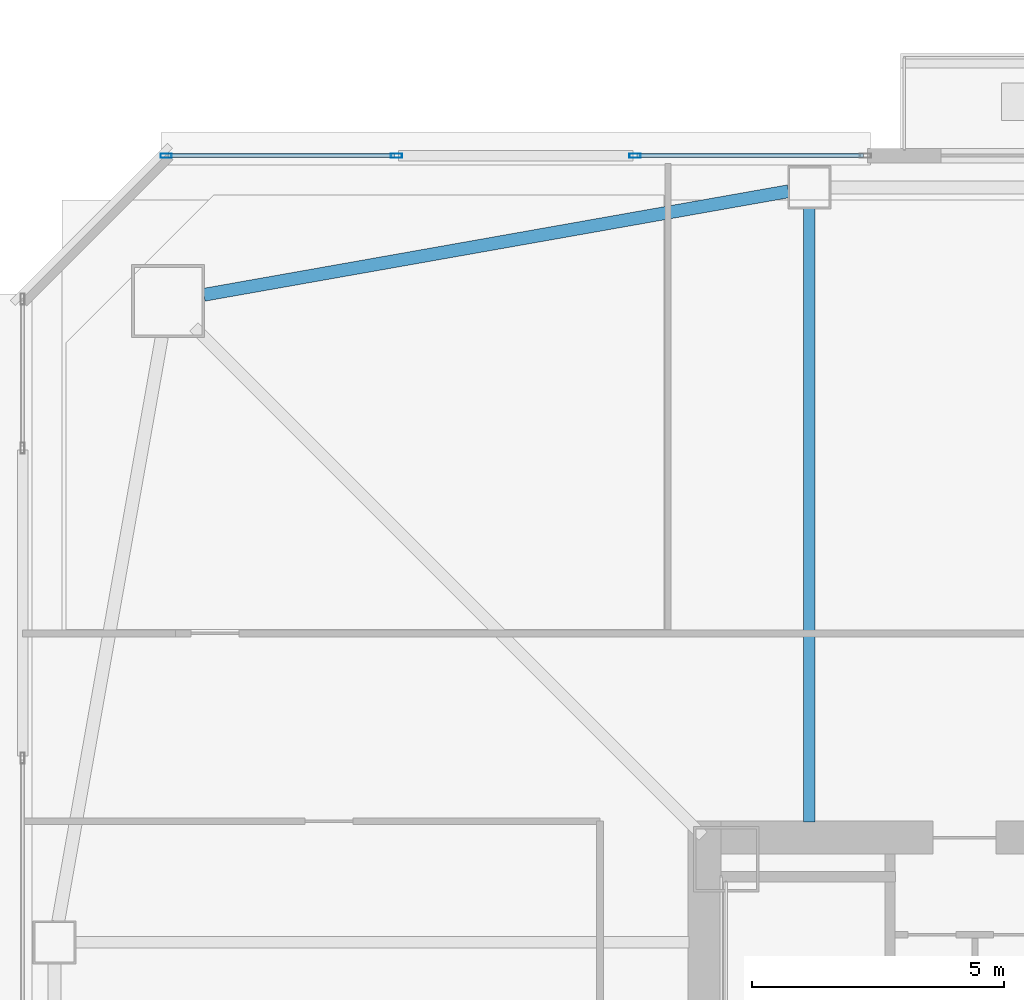
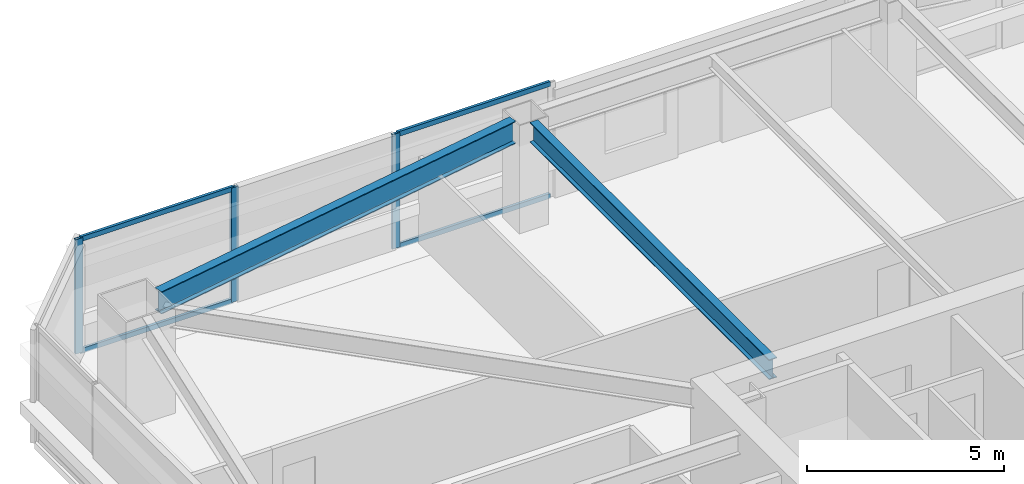
# One storey, part 13 of 47: 7 members, 2 beams, 2 elements without a shape of their own.
"""IFC4 building model written with IfcOpenShell, lengths in metres."""

from ifc_helpers import new_model, si_unit, direction, frame, origin, origin_2d, place, context, subcontext, project, spatial, hollow_rectangle, i_section, extrude, material, material_profile, profile_set, type_object, element, aggregate, save


model = new_model("IFC4")

# Units and contexts
model_context = context("Model", 3, precision=1e-05, world=origin(), true_north=direction((0.0, 1.0)))
body_context = subcontext(model_context, "Body", "Model", "MODEL_VIEW")
ifc_project = project(units=[si_unit("LENGTHUNIT", "METRE"), si_unit("AREAUNIT", "SQUARE_METRE"), si_unit("VOLUMEUNIT", "CUBIC_METRE"), si_unit("PLANEANGLEUNIT", "RADIAN"), si_unit("MASSUNIT", "GRAM", prefix="KILO")], contexts=[model_context])

# Site, building, storey
site_placement = place(None, origin())
site = spatial("IfcSite", under=ifc_project, at=site_placement, CompositionType="ELEMENT")
building_placement = place(site_placement, origin())
building = spatial("IfcBuilding", under=site, at=building_placement, Name="Tashvorn Skyway Center", CompositionType="ELEMENT")
storey_placement = place(building_placement, frame((0.0, 0.0, 81.39990234375)))
storey = spatial("IfcBuildingStorey", under=building, at=storey_placement, Name="L21", CompositionType="ELEMENT", Elevation=81.39990234375)

# Beams
ifc_material_1 = material(Name="Steel ASTM A992 Grade 50", Category="steel")
ifc_material_profile_1 = material_profile(ifc_material_1, i_section(OverallWidth=0.22998046875, OverallDepth=0.616943359375, WebThickness=0.01318359375, FlangeThickness=0.022216796875, at=origin_2d()), Name="W24X94")
ifc_profile_set_1 = profile_set([ifc_material_profile_1], Name="Steel ASTM A992 Grade 50")
beam_type_1 = type_object("IfcBeamType", Name="BM-BEAM-W24X94", PredefinedType="BEAM", material=ifc_profile_set_1)
beam_1_placement = place(storey_placement, frame((36.60009765625, 51.929931640625, 3.04150390625), z_axis=(0.0, -1.0, 0.0), x_axis=(1.0, 0.0, 0.0)))
element("IfcBeam", 1, at=beam_1_placement, inside=storey, type_object=beam_type_1, Name="Tower 1 L21 Primary Floor Girder FC-N2", PredefinedType="BEAM", context=body_context, shape_type="SweptSolid", body=[
    extrude(i_section(OverallWidth=0.22998046875, OverallDepth=0.616943359375, WebThickness=0.01318359375, FlangeThickness=0.022216796875, at=origin_2d()), origin(), (0.0, 0.0, 1.0), 12.14990234375),
])
ifc_material_profile_2 = material_profile(ifc_material_1, i_section(OverallWidth=0.256103515625, OverallDepth=0.693115234375, WebThickness=0.014404296875, FlangeThickness=0.023681640625, at=origin_2d()), Name="W27X114")
ifc_profile_set_2 = profile_set([ifc_material_profile_2], Name="Steel ASTM A992 Grade 50")
beam_type_2 = type_object("IfcBeamType", Name="BM-SPANDREL-W27X114", PredefinedType="SPANDREL", material=ifc_profile_set_2)
beam_2_placement = place(storey_placement, frame((36.1865234375, 52.276611328125, 3.003662109375), z_axis=(-0.98466816531, -0.174437966698, 0.0), x_axis=(0.174437966698, -0.98466816531, 0.0)))
element("IfcBeam", 2, at=beam_2_placement, inside=storey, type_object=beam_type_2, Name="Tower 1 L21 Spandrel Beam 09", PredefinedType="SPANDREL", context=body_context, shape_type="SweptSolid", body=[
    extrude(i_section(OverallWidth=0.256103515625, OverallDepth=0.693115234375, WebThickness=0.014404296875, FlangeThickness=0.023681640625, at=origin_2d()), origin(), (0.0, 0.0, 1.0), 11.7578125),
])

# Curtain wall, members
ifc_material_2 = material(Name="Thermally broken bronze-anodized aluminium 6063-T6", Category="aluminium")
curtain_wall_type = type_object("IfcCurtainWallType", Name="CW-CW-Z2", PredefinedType="NOTDEFINED", material=ifc_material_2)
curtain_wall_1_placement = place(storey_placement, origin())
curtain_wall_1 = element("IfcCurtainWall", 3, at=curtain_wall_1_placement, inside=storey, type_object=curtain_wall_type, Name="Tower 1 L21 North Curtain Wall L Glazing Group 1", PredefinedType="NOTDEFINED")
ifc_material_profile_3 = material_profile(ifc_material_2, hollow_rectangle(XDim=0.080078125, YDim=0.219970703125, WallThickness=0.0048828125, at=origin_2d()), Name="ALU-MULL-80x220")
ifc_profile_set_3 = profile_set([ifc_material_profile_3], Name="Thermally broken bronze-anodized aluminium 6063-T6")
member_type_1 = type_object("IfcMemberType", Name="CWM-CW-Z2", PredefinedType="MULLION", material=ifc_profile_set_3)
member_1_placement = place(storey_placement, frame((23.860107421875, 52.97998046875, 0.0), z_axis=(0.0, 0.0, 1.0), x_axis=(0.0, 1.0, 0.0)))
member_1 = element("IfcMember", 4, at=member_1_placement, type_object=member_type_1, Name="CW-Z2 mullion 1", PredefinedType="MULLION", context=body_context, shape_type="SweptSolid", body=[
    extrude(hollow_rectangle(XDim=0.080078125, YDim=0.219970703125, WallThickness=0.0048828125, at=origin_2d()), origin(), (0.0, 0.0, 1.0), 3.550048828125),
])
member_2_placement = place(storey_placement, frame((28.42333984375, 52.97998046875, 0.0), z_axis=(0.0, 0.0, 1.0), x_axis=(0.0, 1.0, 0.0)))
member_2 = element("IfcMember", 5, at=member_2_placement, type_object=member_type_1, Name="CW-Z2 mullion 2", PredefinedType="MULLION", context=body_context, shape_type="SweptSolid", body=[
    extrude(hollow_rectangle(XDim=0.080078125, YDim=0.219970703125, WallThickness=0.0048828125, at=origin_2d()), origin(), (0.0, 0.0, 1.0), 3.550048828125),
])

# Curtain wall, member
curtain_wall_2_placement = place(storey_placement, origin())
curtain_wall_2 = element("IfcCurtainWall", 6, at=curtain_wall_2_placement, inside=storey, type_object=curtain_wall_type, Name="Tower 1 L21 North Curtain Wall L Glazing Group 2", PredefinedType="NOTDEFINED")
member_3_placement = place(storey_placement, frame((33.146728515625, 52.97998046875, 0.0), z_axis=(0.0, 0.0, 1.0), x_axis=(0.0, 1.0, 0.0)))
member_3 = element("IfcMember", 7, at=member_3_placement, type_object=member_type_1, Name="CW-Z2 mullion 1", PredefinedType="MULLION", context=body_context, shape_type="SweptSolid", body=[
    extrude(hollow_rectangle(XDim=0.080078125, YDim=0.219970703125, WallThickness=0.0048828125, at=origin_2d()), origin(), (0.0, 0.0, 1.0), 3.550048828125),
])

# Member
ifc_material_profile_4 = material_profile(ifc_material_2, hollow_rectangle(XDim=0.080078125, YDim=0.14990234375, WallThickness=0.00439453125, at=origin_2d()), Name="ALU-TRAN-80x150")
ifc_profile_set_4 = profile_set([ifc_material_profile_4], Name="Thermally broken bronze-anodized aluminium 6063-T6")
member_type_2 = type_object("IfcMemberType", Name="CWT-CW-Z2", PredefinedType="USERDEFINED", material=ifc_profile_set_4)
member_4_placement = place(storey_placement, frame((23.89990234375, 52.97998046875, 0.0400390625), z_axis=(1.0, 0.0, 0.0), x_axis=(0.0, 1.0, 0.0)))
member_4 = element("IfcMember", 8, at=member_4_placement, type_object=member_type_2, Name="CW-Z2 transom 1.1", ObjectType="TRANSOM", PredefinedType="USERDEFINED", context=body_context, shape_type="SweptSolid", body=[
    extrude(hollow_rectangle(XDim=0.080078125, YDim=0.14990234375, WallThickness=0.00439453125, at=origin_2d()), origin(), (0.0, 0.0, 1.0), 4.4833984375),
])

member_5_placement = place(storey_placement, frame((23.89990234375, 52.97998046875, 3.510009765625), z_axis=(1.0, 0.0, 0.0), x_axis=(0.0, 1.0, 0.0)))
member_5 = element("IfcMember", 9, at=member_5_placement, type_object=member_type_2, Name="CW-Z2 transom 1.2", ObjectType="TRANSOM", PredefinedType="USERDEFINED", context=body_context, shape_type="SweptSolid", body=[
    extrude(hollow_rectangle(XDim=0.080078125, YDim=0.14990234375, WallThickness=0.00439453125, at=origin_2d()), origin(), (0.0, 0.0, 1.0), 4.4833984375),
])

aggregate(curtain_wall_1, [member_1, member_2, member_4, member_5])

member_6_placement = place(storey_placement, frame((33.186767578125, 52.97998046875, 0.0400390625), z_axis=(1.0, 0.0, 0.0), x_axis=(0.0, 1.0, 0.0)))
member_6 = element("IfcMember", 10, at=member_6_placement, type_object=member_type_2, Name="CW-Z2 transom 1.1", ObjectType="TRANSOM", PredefinedType="USERDEFINED", context=body_context, shape_type="SweptSolid", body=[
    extrude(hollow_rectangle(XDim=0.080078125, YDim=0.14990234375, WallThickness=0.00439453125, at=origin_2d()), origin(), (0.0, 0.0, 1.0), 4.483154296875),
])

member_7_placement = place(storey_placement, frame((33.186767578125, 52.97998046875, 3.510009765625), z_axis=(1.0, 0.0, 0.0), x_axis=(0.0, 1.0, 0.0)))
member_7 = element("IfcMember", 11, at=member_7_placement, type_object=member_type_2, Name="CW-Z2 transom 1.2", ObjectType="TRANSOM", PredefinedType="USERDEFINED", context=body_context, shape_type="SweptSolid", body=[
    extrude(hollow_rectangle(XDim=0.080078125, YDim=0.14990234375, WallThickness=0.00439453125, at=origin_2d()), origin(), (0.0, 0.0, 1.0), 4.483154296875),
])

aggregate(curtain_wall_2, [member_3, member_6, member_7])

save(model, "model.ifc")
